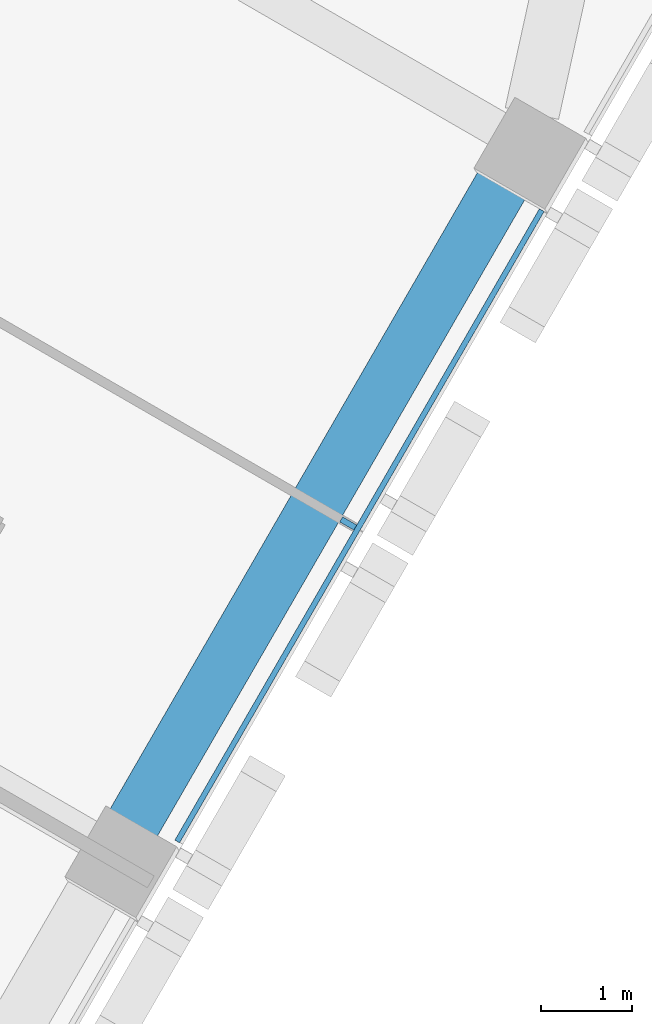
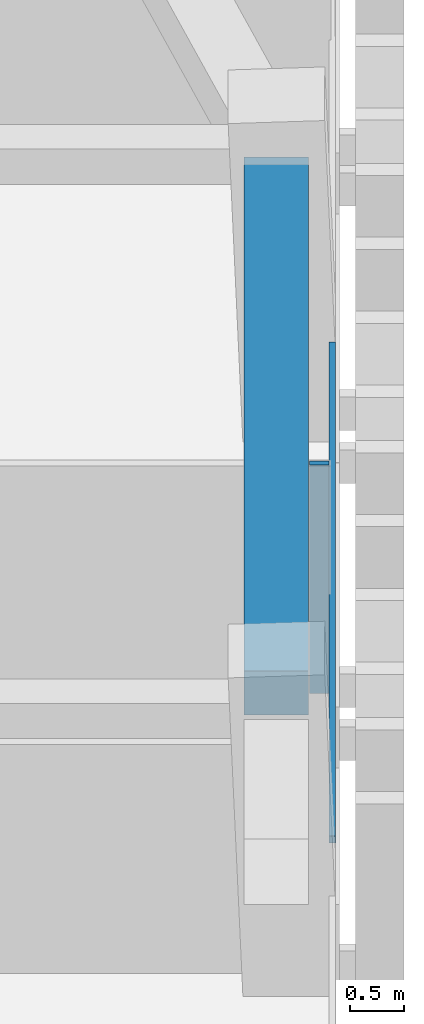
# One storey, part 5 of 18: 2 members, 1 beam, 1 element without a shape of its own.
"""IFC4 building model written with IfcOpenShell, lengths in metres."""

from ifc_helpers import new_model, si_unit, direction, frame, origin, origin_2d, place, context, subcontext, project, spatial, rectangle, extrude, material, layer, layer_set, material_profile, profile_set, type_object, element, aggregate, save


model = new_model("IFC4")

# Units and contexts
model_context = context("Model", 3, precision=1e-05, world=origin(), true_north=direction((0.0, 1.0)))
body_context = subcontext(model_context, "Body", "Model", "MODEL_VIEW")
ifc_project = project(units=[si_unit("LENGTHUNIT", "METRE"), si_unit("AREAUNIT", "SQUARE_METRE"), si_unit("VOLUMEUNIT", "CUBIC_METRE"), si_unit("PLANEANGLEUNIT", "RADIAN"), si_unit("MASSUNIT", "GRAM", prefix="KILO")], contexts=[model_context])

# Site, building, storey
site_placement = place(None, origin())
site = spatial("IfcSite", under=ifc_project, at=site_placement, CompositionType="ELEMENT")
building_placement = place(site_placement, origin())
building = spatial("IfcBuilding", under=site, at=building_placement, Name="Altiplano Prism Tower", CompositionType="ELEMENT")
storey_placement = place(building_placement, frame((0.0, 0.0, 45.0)))
storey = spatial("IfcBuildingStorey", under=building, at=storey_placement, Name="L10", CompositionType="ELEMENT", Elevation=45.0)

# Curtain wall, members
ifc_material_1 = material(Name="Aluminium and glass", Category="aluminium")
ifc_layer = layer(ifc_material_1, 0.280029296875)
ifc_layer_set = layer_set([ifc_layer], Name="Aluminium and glass")
curtain_wall_type = type_object("IfcCurtainWallType", Name="CW1 typical co-living unitised curtain wall", PredefinedType="NOTDEFINED", material=ifc_layer_set)
curtain_wall_placement = place(storey_placement, origin())
curtain_wall = element("IfcCurtainWall", 1, at=curtain_wall_placement, inside=storey, type_object=curtain_wall_type, Name="CW1 curtain wall south-east face L10", PredefinedType="NOTDEFINED")
ifc_material_2 = material(Name="Aluminium", Category="aluminium")
ifc_material_profile_1 = material_profile(ifc_material_2, rectangle(XDim=0.179931640625, YDim=0.06494140625, at=origin_2d()), Name="CW1 mullion 65 x 180")
ifc_profile_set_1 = profile_set([ifc_material_profile_1], Name="Aluminium")
member_type_1 = type_object("IfcMemberType", Name="CW1 mullion 65 x 180", PredefinedType="MULLION", material=ifc_profile_set_1)
member_1_placement = place(storey_placement, frame((107.1220703125, 82.08203125, 0.0), z_axis=(0.0, 0.0, 1.0), x_axis=(-0.86602540265, 0.500000001965, 0.0)))
member_1 = element("IfcMember", 2, at=member_1_placement, type_object=member_type_1, Name="CW1 mullion", PredefinedType="MULLION", context=body_context, shape_type="SweptSolid", body=[
    extrude(rectangle(XDim=0.179931640625, YDim=0.06494140625, at=origin_2d()), origin(), (0.0, 0.0, 1.0), 2.60009765625),
])
ifc_material_profile_2 = material_profile(ifc_material_2, rectangle(XDim=0.06005859375, YDim=0.080078125, at=origin_2d()), Name="CW1 transom 80 x 60")
ifc_profile_set_2 = profile_set([ifc_material_profile_2], Name="Aluminium")
member_type_2 = type_object("IfcMemberType", Name="CW1 transom 80 x 60", PredefinedType="USERDEFINED", material=ifc_profile_set_2)
member_2_placement = place(storey_placement, frame((105.24072265625, 78.58349609375, 1.10009765625), z_axis=(0.500012318566, 0.86601829154, 0.0), x_axis=(-0.86601829154, 0.500012318566, 0.0)))
member_2 = element("IfcMember", 3, at=member_2_placement, type_object=member_type_2, Name="CW1 transom", ObjectType="TRANSOM", PredefinedType="USERDEFINED", context=body_context, shape_type="SweptSolid", body=[
    extrude(rectangle(XDim=0.06005859375, YDim=0.080078125, at=origin_2d()), origin(), (0.0, 0.0, 1.0), 8.019775390625),
])
aggregate(curtain_wall, [member_1, member_2])

# Beam
ifc_material_3 = material(Name="Concrete C60/75", Category="concrete")
ifc_material_profile_3 = material_profile(ifc_material_3, rectangle(XDim=0.60009765625, YDim=0.5, at=origin_2d()), Name="Edge beam 600x500")
ifc_profile_set_3 = profile_set([ifc_material_profile_3], Name="Concrete C60/75")
beam_type = type_object("IfcBeamType", Name="Edge beam 600x500", PredefinedType="SPANDREL", material=ifc_profile_set_3)
beam_placement = place(storey_placement, frame((104.73193359375, 78.7392578125, 2.85009765625), z_axis=(0.499992746786, 0.866029591389, 0.0), x_axis=(-0.866029591389, 0.499992746786, 0.0)))
element("IfcBeam", 4, at=beam_placement, inside=storey, type_object=beam_type, Name="Edge beam P23-P24 L11", PredefinedType="SPANDREL", context=body_context, shape_type="SweptSolid", body=[
    extrude(rectangle(XDim=0.60009765625, YDim=0.5, at=origin_2d()), origin(), (0.0, 0.0, 1.0), 8.33984375),
])

save(model, "model.ifc")
